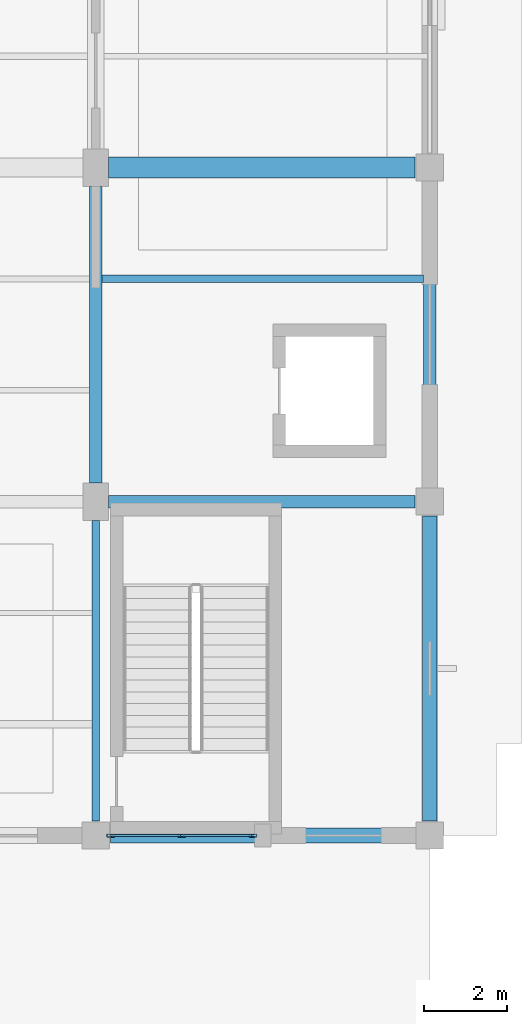
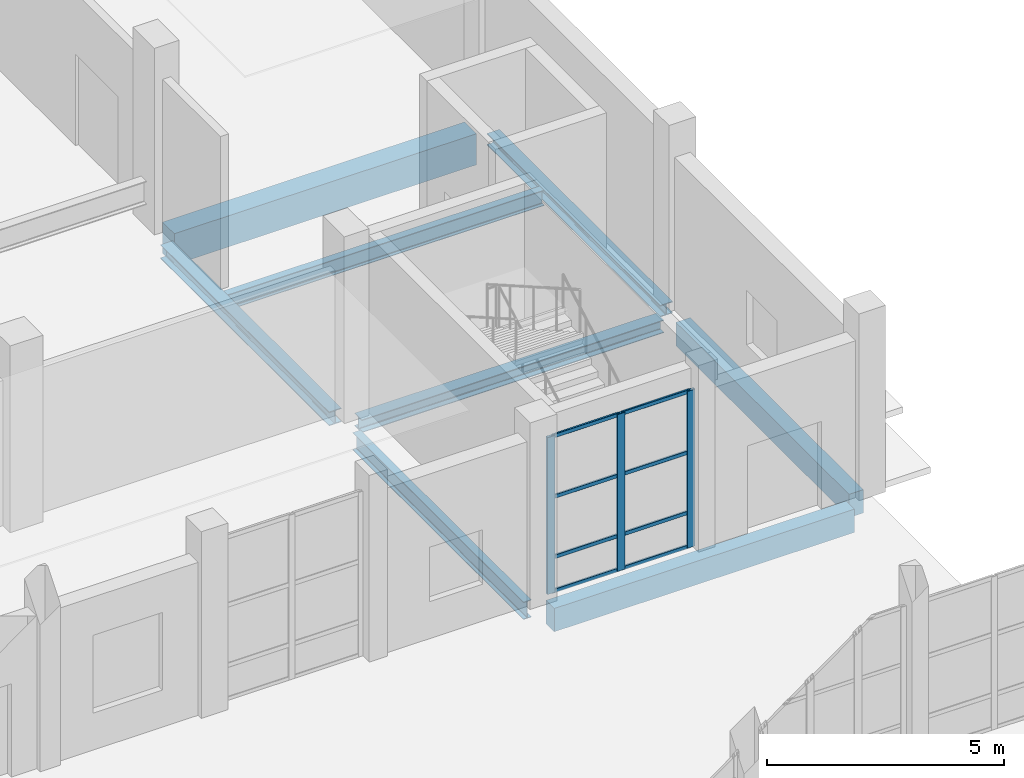
# One storey, part 78 of 156: 11 members, 8 beams, 1 element without a shape of its own.
"""IFC4 building model written with IfcOpenShell, lengths in metres."""

import ifcopenshell
import ifcopenshell.guid

model = None  # the IFC model being written
_history = None  # IfcOwnerHistory: only IFC2X3 demands one
_inside = {}  # id of a spatial element -> (the spatial element, [elements in it])
_under = {}  # id of a project, library or spatial element -> (it, [spatial elements below it])
_declared = {}  # id of a project -> (the project, [libraries it declares])
_typed = {}  # id of a type object -> (the type object, [elements of that type])
_made_of = {}  # id of a material, layer set ... -> (it, [elements and type objects made of it])


def new_model(schema):
    """Start an empty IFC model of exactly this schema.

    Asked for "IFC4X3", IfcOpenShell would pick the latest addendum, in which some entities
    have other attributes; the version numbers below select the first issue.
    IFC2X3 requires an IfcOwnerHistory on every rooted entity: one is made here for all.
    """
    global model, _history
    if schema == "IFC4X3":
        model = ifcopenshell.file(schema_version=(4, 3, 0, 0))
    else:
        model = ifcopenshell.file(schema=schema)
    _inside.clear()
    _under.clear()
    _declared.clear()
    _typed.clear()
    _made_of.clear()
    _history = None
    if model.schema == "IFC2X3":
        org = make("IfcOrganization", Name="unknown")
        user = make(
            "IfcPersonAndOrganization",
            ThePerson=make("IfcPerson", FamilyName="unknown"),
            TheOrganization=org,
        )
        app = make(
            "IfcApplication",
            ApplicationDeveloper=org,
            Version="unknown",
            ApplicationFullName="unknown",
            ApplicationIdentifier="unknown",
        )
        _history = make(
            "IfcOwnerHistory",
            OwningUser=user,
            OwningApplication=app,
            ChangeAction="ADDED",
            CreationDate=0,
        )
    return model


def make(cls, **values):
    """One entity of the class cls with the attributes given. An attribute that is None is left unset."""
    return model.create_entity(
        cls, **{name: value for name, value in values.items() if value is not None}
    )


def rooted(cls, **values):
    """An entity with a GlobalId (a new one), such as an element, a storey or a relation."""
    return make(cls, GlobalId=ifcopenshell.guid.new(), OwnerHistory=_history, **values)


def si_unit(unit_type, name, prefix=None):
    """IfcSIUnit, for example si_unit("LENGTHUNIT", "METRE", prefix="MILLI")."""
    return make("IfcSIUnit", UnitType=unit_type, Prefix=prefix, Name=name)


def assignment(units):
    """IfcUnitAssignment: the units of a project."""
    return None if units is None else make("IfcUnitAssignment", Units=units)


def point(xyz):
    """IfcCartesianPoint."""
    return None if xyz is None else make("IfcCartesianPoint", Coordinates=xyz)


def direction(xyz):
    """IfcDirection."""
    return None if xyz is None else make("IfcDirection", DirectionRatios=xyz)


def frame(location, z_axis=None, x_axis=None):
    """IfcAxis2Placement3D, a coordinate frame: its origin and axes. An axis left out is left unset."""
    return make(
        "IfcAxis2Placement3D",
        Location=point(location),
        Axis=direction(z_axis),
        RefDirection=direction(x_axis),
    )


def frame_2d(location, x_axis=None):
    """IfcAxis2Placement2D, a coordinate frame in the plane: its origin and x axis."""
    return make(
        "IfcAxis2Placement2D", Location=point(location), RefDirection=direction(x_axis)
    )


def origin():
    """The frame at (0, 0, 0) with its axes left unset."""
    return frame((0.0, 0.0, 0.0))


def origin_2d():
    """The frame at (0, 0) in the plane with its x axis left unset."""
    return frame_2d((0.0, 0.0))


def place(relative_to, where):
    """IfcLocalPlacement: puts the frame where relative to a parent placement (None: the world)."""
    return make(
        "IfcLocalPlacement", PlacementRelTo=relative_to, RelativePlacement=where
    )


def context(
    kind, dimensions, precision=None, world=None, true_north=None, identifier=None
):
    """IfcGeometricRepresentationContext, for example the 3D "Model" context."""
    return make(
        "IfcGeometricRepresentationContext",
        ContextIdentifier=identifier,
        ContextType=kind,
        CoordinateSpaceDimension=dimensions,
        Precision=precision,
        WorldCoordinateSystem=world,
        TrueNorth=true_north,
    )


def subcontext(parent, identifier, kind, view, scale=None):
    """IfcGeometricRepresentationSubContext, for example "Body" below "Model"."""
    return make(
        "IfcGeometricRepresentationSubContext",
        ContextIdentifier=identifier,
        ContextType=kind,
        ParentContext=parent,
        TargetScale=scale,
        TargetView=view,
    )


def project(units=None, contexts=None):
    """IfcProject with its units and contexts."""
    return rooted(
        "IfcProject",
        Name="project",
        RepresentationContexts=contexts,
        UnitsInContext=assignment(units),
    )


def spatial(cls, under=None, at=None, **own):
    """A site, building, storey or space (cls), placed at a placement, below another one or the project."""
    s = rooted(cls, ObjectPlacement=at, **own)
    if under is not None:
        _under.setdefault(under.id(), (under, []))[1].append(s)
    return s


def profile(cls, at=None, kind="AREA", **sizes):
    """A parametric profile (cls). Its sizes go by their IFC names, for example OverallWidth=200.0."""
    return make(cls, ProfileType=kind, Position=at, **sizes)


def rectangle(**sizes):
    """IfcRectangleProfileDef."""
    return profile("IfcRectangleProfileDef", **sizes)


def hollow_rectangle(**sizes):
    """IfcRectangleHollowProfileDef."""
    return profile("IfcRectangleHollowProfileDef", **sizes)


def i_section(**sizes):
    """IfcIShapeProfileDef."""
    return profile("IfcIShapeProfileDef", **sizes)


def extrude(swept, where, along, depth):
    """IfcExtrudedAreaSolid: the profile swept, set in the frame where, extruded along a direction by depth."""
    return make(
        "IfcExtrudedAreaSolid",
        SweptArea=swept,
        Position=where,
        ExtrudedDirection=direction(along),
        Depth=depth,
    )


def shape(context_of_items, identifier, shape_type, items):
    """IfcShapeRepresentation: the items that make up one representation, for example the "Body"."""
    return make(
        "IfcShapeRepresentation",
        ContextOfItems=context_of_items,
        RepresentationIdentifier=identifier,
        RepresentationType=shape_type,
        Items=items,
    )


def material(Name=None, Category=None):
    """IfcMaterial."""
    return make("IfcMaterial", Name=Name, Category=Category)


def material_profile(
    of_material, cross_section, Name=None, Category=None, Priority=None
):
    """IfcMaterialProfile: a cross section and its material."""
    return make(
        "IfcMaterialProfile",
        Name=Name,
        Material=of_material,
        Profile=cross_section,
        Priority=Priority,
        Category=Category,
    )


def profile_set(profiles, Name=None, composite=None):
    """IfcMaterialProfileSet."""
    return make(
        "IfcMaterialProfileSet",
        Name=Name,
        MaterialProfiles=profiles,
        CompositeProfile=composite,
    )


def made_of(thing, what):
    """Note that an element or type object is made of a material, layer set ...; save() writes the relation."""
    if what is not None:
        _made_of.setdefault(what.id(), (what, []))[1].append(thing)
    return thing


def type_object(cls, material=None, **own):
    """A type object (cls), such as IfcWallType, which elements share."""
    return made_of(rooted(cls, **own), material)


def element(
    cls,
    number,
    at=None,
    inside=None,
    cuts=None,
    type_object=None,
    material=None,
    context=None,
    identifier="Body",
    shape_type=None,
    held_by="IfcProductDefinitionShape",
    body=None,
    shapes=None,
    **own,
):
    """One element of the class cls, such as IfcWall. Its Tag is "e" and its number.

    at: its placement. inside: the storey or other place that contains it. cuts: it is an
    opening in that element (IfcRelVoidsElement). A single representation is given by context,
    identifier, shape_type and body (its items); several are given by shapes. held_by: the class
    of the entity that holds the representations. save() writes the other relations.
    """
    e = rooted(cls, Tag="e%d" % number, ObjectPlacement=at, **own)
    if body is not None:
        shapes = [shape(context, identifier, shape_type, body)]
    if shapes is not None:
        e.Representation = make(held_by, Representations=shapes)
    if inside is not None:
        _inside.setdefault(inside.id(), (inside, []))[1].append(e)
    if cuts is not None:
        rooted(
            "IfcRelVoidsElement", RelatingBuildingElement=cuts, RelatedOpeningElement=e
        )
    if type_object is not None:
        _typed.setdefault(type_object.id(), (type_object, []))[1].append(e)
    return made_of(e, material)


def aggregate(whole, parts):
    """IfcRelAggregates: a whole, such as a stair, and the parts it consists of."""
    return rooted("IfcRelAggregates", RelatingObject=whole, RelatedObjects=parts)


def save(model, path):
    """Write the relations noted so far, then the file.

    IfcRelAggregates (storeys below a building ...), IfcRelContainedInSpatialStructure (elements
    in a storey), IfcRelDefinesByType, IfcRelAssociatesMaterial and IfcRelDeclares: one each for
    every whole, place, type object, material and project.
    """
    for whole, parts in _under.values():
        aggregate(whole, parts)
    for where, things in _inside.values():
        rooted(
            "IfcRelContainedInSpatialStructure",
            RelatedElements=things,
            RelatingStructure=where,
        )
    for kind, things in _typed.values():
        rooted("IfcRelDefinesByType", RelatedObjects=things, RelatingType=kind)
    for what, things in _made_of.values():
        rooted("IfcRelAssociatesMaterial", RelatedObjects=things, RelatingMaterial=what)
    for by, libraries in _declared.values():
        rooted("IfcRelDeclares", RelatingContext=by, RelatedDefinitions=libraries)
    model.write(path)


model = new_model("IFC4")

# Units and contexts
model_context = context("Model", 3, precision=1e-05, world=origin(), true_north=direction((0.0, 1.0)))
body_context = subcontext(model_context, "Body", "Model", "MODEL_VIEW")
ifc_project = project(units=[si_unit("LENGTHUNIT", "METRE"), si_unit("AREAUNIT", "SQUARE_METRE"), si_unit("VOLUMEUNIT", "CUBIC_METRE"), si_unit("PLANEANGLEUNIT", "RADIAN"), si_unit("MASSUNIT", "GRAM", prefix="KILO")], contexts=[model_context])

# Site, building, storey
site_placement = place(None, origin())
site = spatial("IfcSite", under=ifc_project, at=site_placement, CompositionType="ELEMENT")
building_placement = place(site_placement, origin())
building = spatial("IfcBuilding", under=site, at=building_placement, Name="Luwemba Playhouse", CompositionType="ELEMENT")
storey_placement = place(building_placement, origin())
storey = spatial("IfcBuildingStorey", under=building, at=storey_placement, Name="L00", CompositionType="ELEMENT", Elevation=0.0)

# Beams
ifc_material_1 = material(Name="Concrete C40/50", Category="concrete")
ifc_material_profile_1 = material_profile(ifc_material_1, rectangle(XDim=0.5, YDim=0.800048828125, at=origin_2d()))
ifc_profile_set_1 = profile_set([ifc_material_profile_1], Name="Concrete C40/50")
beam_type_1 = type_object("IfcBeamType", Name="BM-RB06", PredefinedType="BEAM", material=ifc_profile_set_1)
beam_1_placement = place(storey_placement, frame((164.300048828125, 52.0, -0.699951171875), z_axis=(1.0, 0.0, 0.0), x_axis=(0.0, 1.0, 0.0)))
element("IfcBeam", 1, at=beam_1_placement, inside=storey, type_object=beam_type_1, Name="L00 grid girder 0088", PredefinedType="BEAM", context=body_context, shape_type="SweptSolid", body=[
    extrude(rectangle(XDim=0.5, YDim=0.800048828125, at=origin_2d()), origin(), (0.0, 0.0, 1.0), 7.349853515625),
])
ifc_material_2 = material(Name="Steel S355", Category="steel")
ifc_material_profile_2 = material_profile(ifc_material_2, i_section(OverallWidth=0.300048828125, OverallDepth=0.330078125, WebThickness=0.009521484375, FlangeThickness=0.0166015625, FilletRadius=0.027099609375, at=origin_2d()))
ifc_profile_set_2 = profile_set([ifc_material_profile_2], Name="Steel S355")
beam_type_2 = type_object("IfcBeamType", Name="BM-SB04", PredefinedType="BEAM", material=ifc_profile_set_2)
beam_2_placement = place(storey_placement, frame((164.300048828125, 44.0, -0.465087890625), z_axis=(1.0, 0.0, 0.0), x_axis=(0.0, 1.0, 0.0)))
element("IfcBeam", 2, at=beam_2_placement, inside=storey, type_object=beam_type_2, Name="L00 grid girder 0083", PredefinedType="BEAM", context=body_context, shape_type="SweptSolid", body=[
    extrude(i_section(OverallWidth=0.300048828125, OverallDepth=0.330078125, WebThickness=0.009521484375, FlangeThickness=0.0166015625, FilletRadius=0.027099609375, at=origin_2d()), origin(), (0.0, 0.0, 1.0), 7.349853515625),
])
ifc_material_profile_3 = material_profile(ifc_material_2, i_section(OverallWidth=0.18994140625, OverallDepth=0.449951171875, WebThickness=0.009521484375, FlangeThickness=0.0146484375, FilletRadius=0.02099609375, at=origin_2d()))
ifc_profile_set_3 = profile_set([ifc_material_profile_3], Name="Steel S355")
beam_type_3 = type_object("IfcBeamType", Name="BM-SB06", PredefinedType="BEAM", material=ifc_profile_set_3)
beam_3_placement = place(storey_placement, frame((164.0, 36.35009765625, -0.52490234375), z_axis=(0.0, 1.0, 0.0), x_axis=(-1.0, 0.0, 0.0)))
element("IfcBeam", 3, at=beam_3_placement, inside=storey, type_object=beam_type_3, Name="L00 transverse girder 0106", PredefinedType="BEAM", context=body_context, shape_type="SweptSolid", body=[
    extrude(i_section(OverallWidth=0.18994140625, OverallDepth=0.449951171875, WebThickness=0.009521484375, FlangeThickness=0.0146484375, FilletRadius=0.02099609375, at=origin_2d()), origin(), (0.0, 0.0, 1.0), 7.199951171875),
])
ifc_material_profile_4 = material_profile(ifc_material_2, i_section(OverallWidth=0.300048828125, OverallDepth=0.360107421875, WebThickness=0.012451171875, FlangeThickness=0.0224609375, FilletRadius=0.027099609375, at=origin_2d()))
ifc_profile_set_4 = profile_set([ifc_material_profile_4], Name="Steel S355")
beam_type_4 = type_object("IfcBeamType", Name="BM-SB09", PredefinedType="BEAM", material=ifc_profile_set_4)
beam_4_placement = place(storey_placement, frame((164.0, 44.449951171875, -0.47998046875), z_axis=(0.0, 1.0, 0.0), x_axis=(-1.0, 0.0, 0.0)))
element("IfcBeam", 4, at=beam_4_placement, inside=storey, type_object=beam_type_4, Name="L00 transverse girder 0107", PredefinedType="BEAM", context=body_context, shape_type="SweptSolid", body=[
    extrude(i_section(OverallWidth=0.300048828125, OverallDepth=0.360107421875, WebThickness=0.012451171875, FlangeThickness=0.0224609375, FilletRadius=0.027099609375, at=origin_2d()), origin(), (0.0, 0.0, 1.0), 7.10009765625),
])
ifc_material_profile_5 = material_profile(ifc_material_2, i_section(OverallWidth=0.179931640625, OverallDepth=0.39990234375, WebThickness=0.008544921875, FlangeThickness=0.013427734375, FilletRadius=0.02099609375, at=origin_2d()))
ifc_profile_set_5 = profile_set([ifc_material_profile_5], Name="Steel S355")
beam_type_5 = type_object("IfcBeamType", Name="BM-SJ08", PredefinedType="JOIST", material=ifc_profile_set_5)
beam_5_placement = place(storey_placement, frame((164.14599609375, 49.333251953125, -0.5), z_axis=(1.0, 0.0, 0.0), x_axis=(0.0, 1.0, 0.0)))
element("IfcBeam", 5, at=beam_5_placement, inside=storey, type_object=beam_type_5, Name="L00 composite floor joist 0094", PredefinedType="JOIST", context=body_context, shape_type="SweptSolid", body=[
    extrude(i_section(OverallWidth=0.179931640625, OverallDepth=0.39990234375, WebThickness=0.008544921875, FlangeThickness=0.013427734375, FilletRadius=0.02099609375, at=origin_2d()), origin(), (0.0, 0.0, 1.0), 7.7080078125),
])
ifc_material_profile_6 = material_profile(ifc_material_1, rectangle(XDim=0.35009765625, YDim=0.60009765625, at=origin_2d()))
ifc_profile_set_6 = profile_set([ifc_material_profile_6], Name="Concrete C40/50")
beam_type_6 = type_object("IfcBeamType", Name="BM-SP3", PredefinedType="SPANDREL", material=ifc_profile_set_6)
for number, where, z_axis, x_axis, name in (
    (6, (164.35009765625, 36.0, -0.60009765625), (1.0, 0.0, 0.0), (0.0, 1.0, 0.0), "L00 grid girder 0078"),
    (7, (172.0, 36.35009765625, -0.60009765625), (0.0, 1.0, 0.0), (-1.0, 0.0, 0.0), "L00 transverse girder 0109"),
):
    element("IfcBeam", number, at=place(storey_placement, frame(where, z_axis=z_axis, x_axis=x_axis)), inside=storey, type_object=beam_type_6, Name=name, PredefinedType="SPANDREL", context=body_context, shape_type="SweptSolid", body=[
        extrude(rectangle(XDim=0.35009765625, YDim=0.60009765625, at=origin_2d()), origin(), (0.0, 0.0, 1.0), 7.2998046875),
    ])
ifc_material_profile_7 = material_profile(ifc_material_2, i_section(OverallWidth=0.300048828125, OverallDepth=0.300048828125, WebThickness=0.010986328125, FlangeThickness=0.01904296875, FilletRadius=0.027099609375, at=origin_2d()))
ifc_profile_set_7 = profile_set([ifc_material_profile_7], Name="Steel S355")
beam_type_7 = type_object("IfcBeamType", Name="BM-SSP1", PredefinedType="SPANDREL", material=ifc_profile_set_7)
beam_6_placement = place(storey_placement, frame((172.0, 44.35009765625, -0.449951171875), z_axis=(0.0, 1.0, 0.0), x_axis=(-1.0, 0.0, 0.0)))
element("IfcBeam", 8, at=beam_6_placement, inside=storey, type_object=beam_type_7, Name="L00 transverse girder 0110", PredefinedType="SPANDREL", context=body_context, shape_type="SweptSolid", body=[
    extrude(i_section(OverallWidth=0.300048828125, OverallDepth=0.300048828125, WebThickness=0.010986328125, FlangeThickness=0.01904296875, FilletRadius=0.027099609375, at=origin_2d()), origin(), (0.0, 0.0, 1.0), 7.2998046875),
])

# Curtain wall, members
ifc_material_3 = material(Name="Solar-control double glazing", Category="glass")
curtain_wall_type = type_object("IfcCurtainWallType", Name="CW-CW14", PredefinedType="USERDEFINED", material=ifc_material_3)
curtain_wall_placement = place(storey_placement, origin())
curtain_wall = element("IfcCurtainWall", 9, at=curtain_wall_placement, inside=storey, type_object=curtain_wall_type, Name="L00 V3 unitised curtain wall 014", ObjectType="UNITISED GLAZING", PredefinedType="USERDEFINED")
ifc_material_4 = material(Name="Aluminium 6063-T6", Category="aluminium")
ifc_material_profile_8 = material_profile(ifc_material_4, hollow_rectangle(XDim=0.070068359375, YDim=0.18994140625, WallThickness=0.0048828125, InnerFilletRadius=0.007568359375, OuterFilletRadius=0.012451171875, at=origin_2d()))
ifc_profile_set_8 = profile_set([ifc_material_profile_8], Name="Aluminium 6063-T6")
member_type_1 = type_object("IfcMemberType", Name="CWM-M4", PredefinedType="MULLION", material=ifc_profile_set_8)
member_1_placement = place(storey_placement, frame((167.764892578125, 36.0, 0.0), z_axis=(0.0, 0.0, 1.0), x_axis=(0.0, -1.0, 0.0)))
member_1 = element("IfcMember", 10, at=member_1_placement, type_object=member_type_1, Name="CW14 mullion 1", PredefinedType="MULLION", context=body_context, shape_type="SweptSolid", body=[
    extrude(hollow_rectangle(XDim=0.070068359375, YDim=0.18994140625, WallThickness=0.0048828125, InnerFilletRadius=0.007568359375, OuterFilletRadius=0.012451171875, at=origin_2d()), origin(), (0.0, 0.0, 1.0), 4.034912109375),
])
member_2_placement = place(storey_placement, frame((166.0625, 36.0, 0.0), z_axis=(0.0, 0.0, 1.0), x_axis=(0.0, -1.0, 0.0)))
member_2 = element("IfcMember", 11, at=member_2_placement, type_object=member_type_1, Name="CW14 mullion 2", PredefinedType="MULLION", context=body_context, shape_type="SweptSolid", body=[
    extrude(hollow_rectangle(XDim=0.070068359375, YDim=0.18994140625, WallThickness=0.0048828125, InnerFilletRadius=0.007568359375, OuterFilletRadius=0.012451171875, at=origin_2d()), origin(), (0.0, 0.0, 1.0), 4.034912109375),
])
member_3_placement = place(storey_placement, frame((164.360107421875, 36.0, 0.0), z_axis=(0.0, 0.0, 1.0), x_axis=(0.0, -1.0, 0.0)))
member_3 = element("IfcMember", 12, at=member_3_placement, type_object=member_type_1, Name="CW14 mullion 3", PredefinedType="MULLION", context=body_context, shape_type="SweptSolid", body=[
    extrude(hollow_rectangle(XDim=0.070068359375, YDim=0.18994140625, WallThickness=0.0048828125, InnerFilletRadius=0.007568359375, OuterFilletRadius=0.012451171875, at=origin_2d()), origin(), (0.0, 0.0, 1.0), 4.034912109375),
])
ifc_material_profile_9 = material_profile(ifc_material_4, hollow_rectangle(XDim=0.050048828125, YDim=0.10009765625, WallThickness=0.00341796875, InnerFilletRadius=0.00537109375, OuterFilletRadius=0.0087890625, at=origin_2d()))
ifc_profile_set_9 = profile_set([ifc_material_profile_9], Name="Aluminium 6063-T6")
member_type_2 = type_object("IfcMemberType", Name="CWT-T4", PredefinedType="USERDEFINED", material=ifc_profile_set_9)
member_4_placement = place(storey_placement, frame((167.72998046875, 36.0, 0.02490234375), z_axis=(-1.0, 0.0, 0.0), x_axis=(0.0, -1.0, 0.0)))
member_4 = element("IfcMember", 13, at=member_4_placement, type_object=member_type_2, Name="CW14 transom 1.1", ObjectType="TRANSOM", PredefinedType="USERDEFINED", context=body_context, shape_type="SweptSolid", body=[
    extrude(hollow_rectangle(XDim=0.050048828125, YDim=0.10009765625, WallThickness=0.00341796875, InnerFilletRadius=0.00537109375, OuterFilletRadius=0.0087890625, at=origin_2d()), origin(), (0.0, 0.0, 1.0), 1.632568359375),
])
member_5_placement = place(storey_placement, frame((167.72998046875, 36.0, 0.89990234375), z_axis=(-1.0, 0.0, 0.0), x_axis=(0.0, -1.0, 0.0)))
member_5 = element("IfcMember", 14, at=member_5_placement, type_object=member_type_2, Name="CW14 transom 1.2", ObjectType="TRANSOM", PredefinedType="USERDEFINED", context=body_context, shape_type="SweptSolid", body=[
    extrude(hollow_rectangle(XDim=0.050048828125, YDim=0.10009765625, WallThickness=0.00341796875, InnerFilletRadius=0.00537109375, OuterFilletRadius=0.0087890625, at=origin_2d()), origin(), (0.0, 0.0, 1.0), 1.632568359375),
])
member_6_placement = place(storey_placement, frame((167.72998046875, 36.0, 2.449951171875), z_axis=(-1.0, 0.0, 0.0), x_axis=(0.0, -1.0, 0.0)))
member_6 = element("IfcMember", 15, at=member_6_placement, type_object=member_type_2, Name="CW14 transom 1.3", ObjectType="TRANSOM", PredefinedType="USERDEFINED", context=body_context, shape_type="SweptSolid", body=[
    extrude(hollow_rectangle(XDim=0.050048828125, YDim=0.10009765625, WallThickness=0.00341796875, InnerFilletRadius=0.00537109375, OuterFilletRadius=0.0087890625, at=origin_2d()), origin(), (0.0, 0.0, 1.0), 1.632568359375),
])
member_7_placement = place(storey_placement, frame((167.72998046875, 36.0, 4.010009765625), z_axis=(-1.0, 0.0, 0.0), x_axis=(0.0, -1.0, 0.0)))
member_7 = element("IfcMember", 16, at=member_7_placement, type_object=member_type_2, Name="CW14 transom 1.4", ObjectType="TRANSOM", PredefinedType="USERDEFINED", context=body_context, shape_type="SweptSolid", body=[
    extrude(hollow_rectangle(XDim=0.050048828125, YDim=0.10009765625, WallThickness=0.00341796875, InnerFilletRadius=0.00537109375, OuterFilletRadius=0.0087890625, at=origin_2d()), origin(), (0.0, 0.0, 1.0), 1.632568359375),
])
member_8_placement = place(storey_placement, frame((166.027587890625, 36.0, 0.02490234375), z_axis=(-1.0, 0.0, 0.0), x_axis=(0.0, -1.0, 0.0)))
member_8 = element("IfcMember", 17, at=member_8_placement, type_object=member_type_2, Name="CW14 transom 2.1", ObjectType="TRANSOM", PredefinedType="USERDEFINED", context=body_context, shape_type="SweptSolid", body=[
    extrude(hollow_rectangle(XDim=0.050048828125, YDim=0.10009765625, WallThickness=0.00341796875, InnerFilletRadius=0.00537109375, OuterFilletRadius=0.0087890625, at=origin_2d()), origin(), (0.0, 0.0, 1.0), 1.632568359375),
])
member_9_placement = place(storey_placement, frame((166.027587890625, 36.0, 0.89990234375), z_axis=(-1.0, 0.0, 0.0), x_axis=(0.0, -1.0, 0.0)))
member_9 = element("IfcMember", 18, at=member_9_placement, type_object=member_type_2, Name="CW14 transom 2.2", ObjectType="TRANSOM", PredefinedType="USERDEFINED", context=body_context, shape_type="SweptSolid", body=[
    extrude(hollow_rectangle(XDim=0.050048828125, YDim=0.10009765625, WallThickness=0.00341796875, InnerFilletRadius=0.00537109375, OuterFilletRadius=0.0087890625, at=origin_2d()), origin(), (0.0, 0.0, 1.0), 1.632568359375),
])
member_10_placement = place(storey_placement, frame((166.027587890625, 36.0, 2.449951171875), z_axis=(-1.0, 0.0, 0.0), x_axis=(0.0, -1.0, 0.0)))
member_10 = element("IfcMember", 19, at=member_10_placement, type_object=member_type_2, Name="CW14 transom 2.3", ObjectType="TRANSOM", PredefinedType="USERDEFINED", context=body_context, shape_type="SweptSolid", body=[
    extrude(hollow_rectangle(XDim=0.050048828125, YDim=0.10009765625, WallThickness=0.00341796875, InnerFilletRadius=0.00537109375, OuterFilletRadius=0.0087890625, at=origin_2d()), origin(), (0.0, 0.0, 1.0), 1.632568359375),
])
member_11_placement = place(storey_placement, frame((166.027587890625, 36.0, 4.010009765625), z_axis=(-1.0, 0.0, 0.0), x_axis=(0.0, -1.0, 0.0)))
member_11 = element("IfcMember", 20, at=member_11_placement, type_object=member_type_2, Name="CW14 transom 2.4", ObjectType="TRANSOM", PredefinedType="USERDEFINED", context=body_context, shape_type="SweptSolid", body=[
    extrude(hollow_rectangle(XDim=0.050048828125, YDim=0.10009765625, WallThickness=0.00341796875, InnerFilletRadius=0.00537109375, OuterFilletRadius=0.0087890625, at=origin_2d()), origin(), (0.0, 0.0, 1.0), 1.632568359375),
])
aggregate(curtain_wall, [member_1, member_2, member_3, member_4, member_5, member_6, member_7, member_8, member_9, member_10, member_11])

save(model, "model.ifc")
